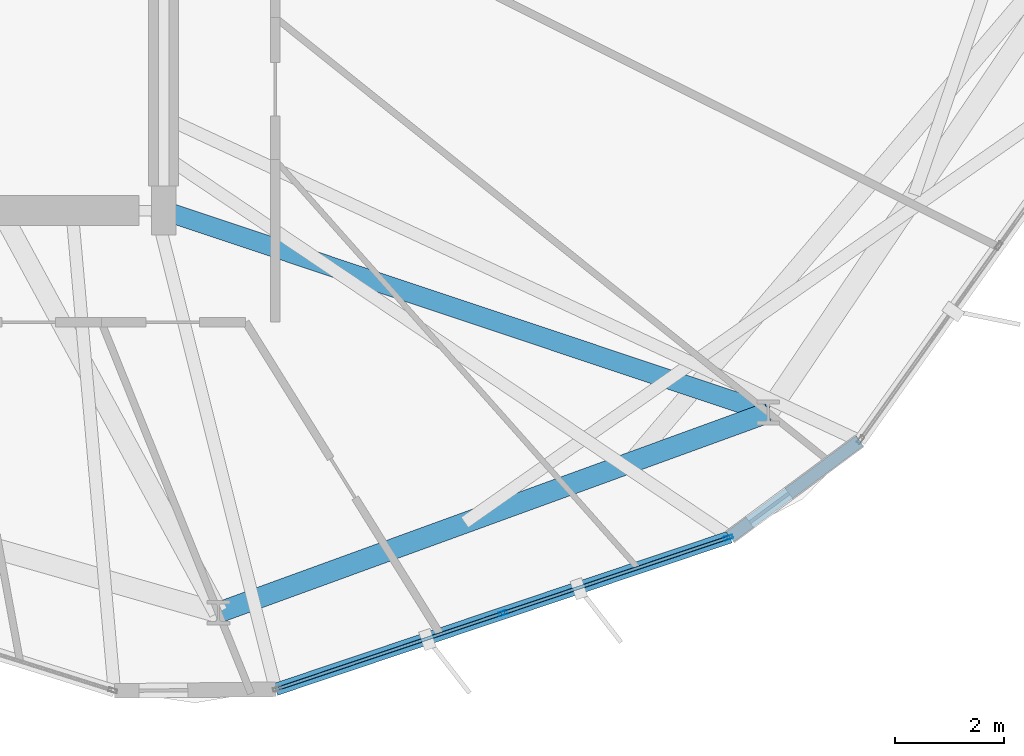
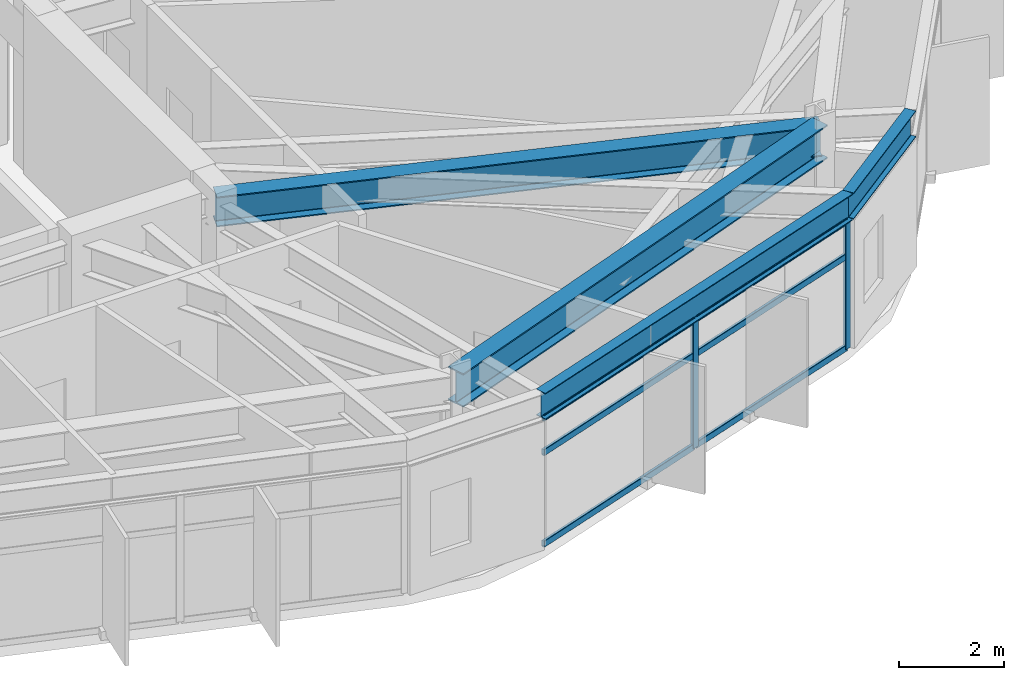
# One storey, part 6 of 27: 8 members, 4 beams, 1 element without a shape of its own.
"""IFC4 building model written with IfcOpenShell, lengths in metres."""

from ifc_helpers import new_model, si_unit, direction, frame, origin, origin_2d, place, context, subcontext, project, spatial, hollow_rectangle, i_section, extrude, material, layer, layer_set, material_profile, profile_set, type_object, element, aggregate, save


model = new_model("IFC4")

# Units and contexts
model_context = context("Model", 3, precision=1e-05, world=origin(), true_north=direction((0.0, 1.0)))
body_context = subcontext(model_context, "Body", "Model", "MODEL_VIEW")
ifc_project = project(units=[si_unit("LENGTHUNIT", "METRE"), si_unit("AREAUNIT", "SQUARE_METRE"), si_unit("VOLUMEUNIT", "CUBIC_METRE"), si_unit("PLANEANGLEUNIT", "RADIAN"), si_unit("MASSUNIT", "GRAM", prefix="KILO")], contexts=[model_context])

# Site, building, storey
site_placement = place(None, origin())
site = spatial("IfcSite", under=ifc_project, at=site_placement, CompositionType="ELEMENT")
building_placement = place(site_placement, origin())
building = spatial("IfcBuilding", under=site, at=building_placement, Name="Soratama Intermodal Tower", CompositionType="ELEMENT")
storey_placement = place(building_placement, frame((0.0, 0.0, 103.0)))
storey = spatial("IfcBuildingStorey", under=building, at=storey_placement, Name="L24", CompositionType="ELEMENT", Elevation=103.0)

# Beams
ifc_material_1 = material(Name="Structural steel ASTM A992 Grade 50", Category="steel")
ifc_material_profile_1 = material_profile(ifc_material_1, i_section(OverallWidth=0.35498046875, OverallDepth=0.695068359375, WebThickness=0.015380859375, FlangeThickness=0.02490234375, FilletRadius=0.01611328125, at=origin_2d()), Name="W27X146")
ifc_profile_set_1 = profile_set([ifc_material_profile_1], Name="Structural steel ASTM A992 Grade 50")
beam_type_1 = type_object("IfcBeamType", Name="BM-RING-W27X146", PredefinedType="BEAM", material=ifc_profile_set_1)
beam_1_placement = place(storey_placement, frame((44.60009765625, 15.0, 3.25244140625), z_axis=(0.948503923169, -0.316765382787, 0.0), x_axis=(0.316765382787, 0.948503923169, 0.0)))
element("IfcBeam", 1, at=beam_1_placement, inside=storey, type_object=beam_type_1, Name="BM-L24-RAD-09", PredefinedType="BEAM", context=body_context, shape_type="SweptSolid", body=[
    extrude(i_section(OverallWidth=0.35498046875, OverallDepth=0.695068359375, WebThickness=0.015380859375, FlangeThickness=0.02490234375, FilletRadius=0.01611328125, at=origin_2d()), origin(), (0.0, 0.0, 1.0), 11.715087890625),
])
ifc_material_2 = material(Name="Structural steel ASTM A992 Grade 50", Category="steel")
ifc_material_profile_2 = material_profile(ifc_material_2, i_section(OverallWidth=0.382080078125, OverallDepth=0.779052734375, WebThickness=0.01806640625, FlangeThickness=0.030029296875, FilletRadius=0.01806640625, at=origin_2d()), Name="W30X191")
ifc_profile_set_2 = profile_set([ifc_material_profile_2], Name="Structural steel ASTM A992 Grade 50")
beam_type_2 = type_object("IfcBeamType", Name="BM-RING-W30X191", PredefinedType="BEAM", material=ifc_profile_set_2)
beam_2_placement = place(storey_placement, frame((45.60693359375, 7.611083984375, 3.21044921875), z_axis=(0.939690636038, 0.342025596326, 0.0), x_axis=(-0.342025596326, 0.939690636038, 0.0)))
element("IfcBeam", 2, at=beam_2_placement, inside=storey, type_object=beam_type_2, Name="BM-L24-RING-08", PredefinedType="BEAM", context=body_context, shape_type="SweptSolid", body=[
    extrude(i_section(OverallWidth=0.382080078125, OverallDepth=0.779052734375, WebThickness=0.01806640625, FlangeThickness=0.030029296875, FilletRadius=0.01806640625, at=origin_2d()), origin(), (0.0, 0.0, 1.0), 10.75341796875),
])
ifc_material_3 = material(Name="Structural steel ASTM A992 Grade 50", Category="steel")
ifc_material_profile_3 = material_profile(ifc_material_3, i_section(OverallWidth=0.22900390625, OverallDepth=0.612060546875, WebThickness=0.011962890625, FlangeThickness=0.01953125, FilletRadius=0.012939453125, at=origin_2d()), Name="W24X84")
ifc_profile_set_3 = profile_set([ifc_material_profile_3], Name="Structural steel ASTM A992 Grade 50")
beam_type_3 = type_object("IfcBeamType", Name="BM-SPN-W24X84", PredefinedType="SPANDREL", material=ifc_profile_set_3)
beam_3_placement = place(storey_placement, frame((46.659912109375, 6.199951171875, 3.2939453125), z_axis=(0.948080057339, 0.318031767085, 0.0), x_axis=(-0.318031767085, 0.948080057339, 0.0)))
element("IfcBeam", 3, at=beam_3_placement, inside=storey, type_object=beam_type_3, Name="BS-L24-F08", PredefinedType="SPANDREL", context=body_context, shape_type="SweptSolid", body=[
    extrude(i_section(OverallWidth=0.22900390625, OverallDepth=0.612060546875, WebThickness=0.011962890625, FlangeThickness=0.01953125, FilletRadius=0.012939453125, at=origin_2d()), origin(), (0.0, 0.0, 1.0), 8.807373046875),
])
beam_4_placement = place(storey_placement, frame((55.010009765625, 9.0009765625, 3.2939453125), z_axis=(0.803530954069, 0.595262972016, 0.0), x_axis=(-0.595262972016, 0.803530954069, 0.0)))
element("IfcBeam", 4, at=beam_4_placement, inside=storey, type_object=beam_type_3, Name="BS-L24-CRN08", PredefinedType="SPANDREL", context=body_context, shape_type="SweptSolid", body=[
    extrude(i_section(OverallWidth=0.22900390625, OverallDepth=0.612060546875, WebThickness=0.011962890625, FlangeThickness=0.01953125, FilletRadius=0.012939453125, at=origin_2d()), origin(), (0.0, 0.0, 1.0), 2.967041015625),
])

# Curtain wall, members
ifc_material_4 = material(Name="Double-glazed aluminium curtain wall", Category="aluminium")
ifc_layer = layer(ifc_material_4, 0.159912109375)
ifc_layer_set = layer_set([ifc_layer], Name="Double-glazed aluminium curtain wall")
curtain_wall_type = type_object("IfcCurtainWallType", Name="CW-SYS-3", PredefinedType="NOTDEFINED", material=ifc_layer_set)
curtain_wall_placement = place(storey_placement, origin())
curtain_wall = element("IfcCurtainWall", 5, at=curtain_wall_placement, inside=storey, type_object=curtain_wall_type, Name="L24 Faceted Curtain Wall F08", PredefinedType="NOTDEFINED")
ifc_material_5 = material(Name="Anodised aluminium AA 6063-T6", Category="aluminium")
ifc_material_profile_4 = material_profile(ifc_material_5, hollow_rectangle(XDim=0.070068359375, YDim=0.159912109375, WallThickness=0.0048828125, InnerFilletRadius=0.0048828125, OuterFilletRadius=0.010009765625, at=origin_2d()), Name="CWM160X70X5")
ifc_profile_set_4 = profile_set([ifc_material_profile_4], Name="Anodised aluminium AA 6063-T6")
member_type_1 = type_object("IfcMemberType", Name="MT-CWM-3", PredefinedType="MULLION", material=ifc_profile_set_4)
member_1_placement = place(storey_placement, frame((50.835205078125, 7.6005859375, 0.0), z_axis=(0.0, 0.0, 1.0), x_axis=(-0.317957776835, 0.948104874025, 0.0)))
member_1 = element("IfcMember", 6, at=member_1_placement, type_object=member_type_1, Name="CW-3 mullion 2", PredefinedType="MULLION", context=body_context, shape_type="SweptSolid", body=[
    extrude(hollow_rectangle(XDim=0.070068359375, YDim=0.159912109375, WallThickness=0.0048828125, InnerFilletRadius=0.0048828125, OuterFilletRadius=0.010009765625, at=origin_2d()), origin(), (0.0, 0.0, 1.0), 2.97900390625),
])
member_2_placement = place(storey_placement, frame((54.9814453125, 8.990966796875, 0.0), z_axis=(0.0, 0.0, 1.0), x_axis=(-0.317957776835, 0.948104874025, 0.0)))
member_2 = element("IfcMember", 7, at=member_2_placement, type_object=member_type_1, Name="CW-3 mullion 3", PredefinedType="MULLION", context=body_context, shape_type="SweptSolid", body=[
    extrude(hollow_rectangle(XDim=0.070068359375, YDim=0.159912109375, WallThickness=0.0048828125, InnerFilletRadius=0.0048828125, OuterFilletRadius=0.010009765625, at=origin_2d()), origin(), (0.0, 0.0, 1.0), 2.97900390625),
])
ifc_material_6 = material(Name="Anodised aluminium AA 6063-T6", Category="aluminium")
ifc_material_profile_5 = material_profile(ifc_material_6, hollow_rectangle(XDim=0.06494140625, YDim=0.14990234375, WallThickness=0.0048828125, InnerFilletRadius=0.0048828125, OuterFilletRadius=0.010009765625, at=origin_2d()), Name="CWT150X65X5")
ifc_profile_set_5 = profile_set([ifc_material_profile_5], Name="Anodised aluminium AA 6063-T6")
member_type_2 = type_object("IfcMemberType", Name="TT-CWT-1", PredefinedType="USERDEFINED", material=ifc_profile_set_5)
member_3_placement = place(storey_placement, frame((46.71728515625, 6.219482421875, 0.030029296875), z_axis=(0.948098710802, 0.317976154098, 0.0), x_axis=(-0.317976154098, 0.948098710802, 0.0)))
member_3 = element("IfcMember", 8, at=member_3_placement, type_object=member_type_2, Name="CW-3 transom 1.1", ObjectType="TRANSOM", PredefinedType="USERDEFINED", context=body_context, shape_type="SweptSolid", body=[
    extrude(hollow_rectangle(XDim=0.06494140625, YDim=0.14990234375, WallThickness=0.0048828125, InnerFilletRadius=0.0048828125, OuterFilletRadius=0.010009765625, at=origin_2d()), origin(), (0.0, 0.0, 1.0), 4.3134765625),
])
member_4_placement = place(storey_placement, frame((46.71728515625, 6.219482421875, 2.14990234375), z_axis=(0.948098710802, 0.317976154098, 0.0), x_axis=(-0.317976154098, 0.948098710802, 0.0)))
member_4 = element("IfcMember", 9, at=member_4_placement, type_object=member_type_2, Name="CW-3 transom 1.2", ObjectType="TRANSOM", PredefinedType="USERDEFINED", context=body_context, shape_type="SweptSolid", body=[
    extrude(hollow_rectangle(XDim=0.06494140625, YDim=0.14990234375, WallThickness=0.0048828125, InnerFilletRadius=0.0048828125, OuterFilletRadius=0.010009765625, at=origin_2d()), origin(), (0.0, 0.0, 1.0), 4.3134765625),
])
member_5_placement = place(storey_placement, frame((46.71728515625, 6.219482421875, 2.948974609375), z_axis=(0.948098710802, 0.317976154098, 0.0), x_axis=(-0.317976154098, 0.948098710802, 0.0)))
member_5 = element("IfcMember", 10, at=member_5_placement, type_object=member_type_2, Name="CW-3 transom 1.3", ObjectType="TRANSOM", PredefinedType="USERDEFINED", context=body_context, shape_type="SweptSolid", body=[
    extrude(hollow_rectangle(XDim=0.06494140625, YDim=0.14990234375, WallThickness=0.0048828125, InnerFilletRadius=0.0048828125, OuterFilletRadius=0.010009765625, at=origin_2d()), origin(), (0.0, 0.0, 1.0), 4.3134765625),
])
member_6_placement = place(storey_placement, frame((50.86376953125, 7.610107421875, 0.030029296875), z_axis=(0.948110051517, 0.317942337873, 0.0), x_axis=(-0.317942337873, 0.948110051517, 0.0)))
member_6 = element("IfcMember", 11, at=member_6_placement, type_object=member_type_2, Name="CW-3 transom 2.1", ObjectType="TRANSOM", PredefinedType="USERDEFINED", context=body_context, shape_type="SweptSolid", body=[
    extrude(hollow_rectangle(XDim=0.06494140625, YDim=0.14990234375, WallThickness=0.0048828125, InnerFilletRadius=0.0048828125, OuterFilletRadius=0.010009765625, at=origin_2d()), origin(), (0.0, 0.0, 1.0), 4.313232421875),
])
member_7_placement = place(storey_placement, frame((50.86376953125, 7.610107421875, 2.14990234375), z_axis=(0.948110051517, 0.317942337873, 0.0), x_axis=(-0.317942337873, 0.948110051517, 0.0)))
member_7 = element("IfcMember", 12, at=member_7_placement, type_object=member_type_2, Name="CW-3 transom 2.2", ObjectType="TRANSOM", PredefinedType="USERDEFINED", context=body_context, shape_type="SweptSolid", body=[
    extrude(hollow_rectangle(XDim=0.06494140625, YDim=0.14990234375, WallThickness=0.0048828125, InnerFilletRadius=0.0048828125, OuterFilletRadius=0.010009765625, at=origin_2d()), origin(), (0.0, 0.0, 1.0), 4.313232421875),
])
member_8_placement = place(storey_placement, frame((50.86376953125, 7.610107421875, 2.948974609375), z_axis=(0.948110051517, 0.317942337873, 0.0), x_axis=(-0.317942337873, 0.948110051517, 0.0)))
member_8 = element("IfcMember", 13, at=member_8_placement, type_object=member_type_2, Name="CW-3 transom 2.3", ObjectType="TRANSOM", PredefinedType="USERDEFINED", context=body_context, shape_type="SweptSolid", body=[
    extrude(hollow_rectangle(XDim=0.06494140625, YDim=0.14990234375, WallThickness=0.0048828125, InnerFilletRadius=0.0048828125, OuterFilletRadius=0.010009765625, at=origin_2d()), origin(), (0.0, 0.0, 1.0), 4.313232421875),
])
aggregate(curtain_wall, [member_1, member_2, member_3, member_4, member_5, member_6, member_7, member_8])

save(model, "model.ifc")
